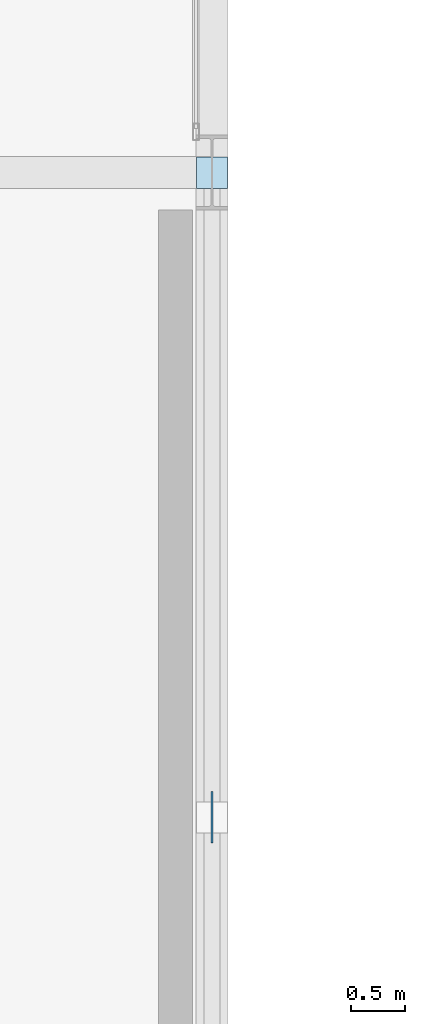
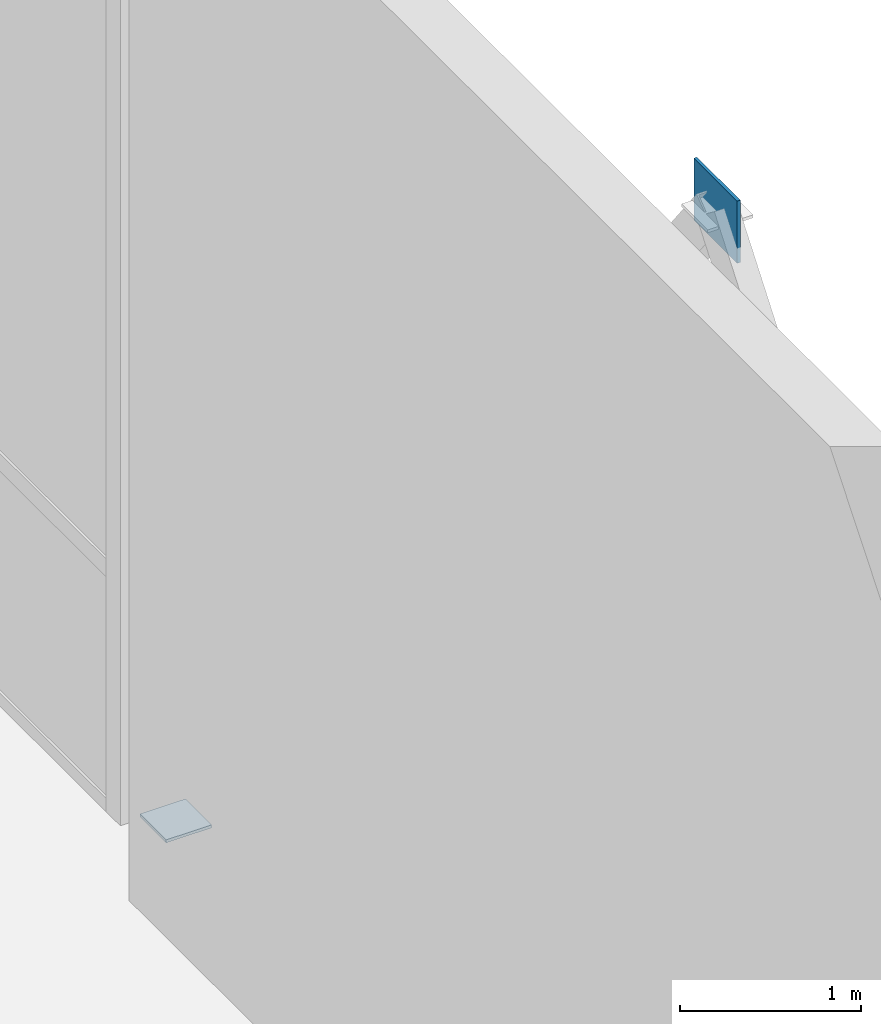
# One storey, part 112 of 131: 2 plates.
"""IFC4 building model written with IfcOpenShell, lengths in metres."""

import ifcopenshell
import ifcopenshell.guid

model = None  # the IFC model being written
_history = None  # IfcOwnerHistory: only IFC2X3 demands one
_inside = {}  # id of a spatial element -> (the spatial element, [elements in it])
_under = {}  # id of a project, library or spatial element -> (it, [spatial elements below it])
_declared = {}  # id of a project -> (the project, [libraries it declares])
_typed = {}  # id of a type object -> (the type object, [elements of that type])
_made_of = {}  # id of a material, layer set ... -> (it, [elements and type objects made of it])


def new_model(schema):
    """Start an empty IFC model of exactly this schema.

    Asked for "IFC4X3", IfcOpenShell would pick the latest addendum, in which some entities
    have other attributes; the version numbers below select the first issue.
    IFC2X3 requires an IfcOwnerHistory on every rooted entity: one is made here for all.
    """
    global model, _history
    if schema == "IFC4X3":
        model = ifcopenshell.file(schema_version=(4, 3, 0, 0))
    else:
        model = ifcopenshell.file(schema=schema)
    _inside.clear()
    _under.clear()
    _declared.clear()
    _typed.clear()
    _made_of.clear()
    _history = None
    if model.schema == "IFC2X3":
        org = make("IfcOrganization", Name="unknown")
        user = make(
            "IfcPersonAndOrganization",
            ThePerson=make("IfcPerson", FamilyName="unknown"),
            TheOrganization=org,
        )
        app = make(
            "IfcApplication",
            ApplicationDeveloper=org,
            Version="unknown",
            ApplicationFullName="unknown",
            ApplicationIdentifier="unknown",
        )
        _history = make(
            "IfcOwnerHistory",
            OwningUser=user,
            OwningApplication=app,
            ChangeAction="ADDED",
            CreationDate=0,
        )
    return model


def make(cls, **values):
    """One entity of the class cls with the attributes given. An attribute that is None is left unset."""
    return model.create_entity(
        cls, **{name: value for name, value in values.items() if value is not None}
    )


def rooted(cls, **values):
    """An entity with a GlobalId (a new one), such as an element, a storey or a relation."""
    return make(cls, GlobalId=ifcopenshell.guid.new(), OwnerHistory=_history, **values)


def si_unit(unit_type, name, prefix=None):
    """IfcSIUnit, for example si_unit("LENGTHUNIT", "METRE", prefix="MILLI")."""
    return make("IfcSIUnit", UnitType=unit_type, Prefix=prefix, Name=name)


def assignment(units):
    """IfcUnitAssignment: the units of a project."""
    return None if units is None else make("IfcUnitAssignment", Units=units)


def point(xyz):
    """IfcCartesianPoint."""
    return None if xyz is None else make("IfcCartesianPoint", Coordinates=xyz)


def direction(xyz):
    """IfcDirection."""
    return None if xyz is None else make("IfcDirection", DirectionRatios=xyz)


def frame(location, z_axis=None, x_axis=None):
    """IfcAxis2Placement3D, a coordinate frame: its origin and axes. An axis left out is left unset."""
    return make(
        "IfcAxis2Placement3D",
        Location=point(location),
        Axis=direction(z_axis),
        RefDirection=direction(x_axis),
    )


def frame_2d(location, x_axis=None):
    """IfcAxis2Placement2D, a coordinate frame in the plane: its origin and x axis."""
    return make(
        "IfcAxis2Placement2D", Location=point(location), RefDirection=direction(x_axis)
    )


def origin():
    """The frame at (0, 0, 0) with its axes left unset."""
    return frame((0.0, 0.0, 0.0))


def origin_2d():
    """The frame at (0, 0) in the plane with its x axis left unset."""
    return frame_2d((0.0, 0.0))


def place(relative_to, where):
    """IfcLocalPlacement: puts the frame where relative to a parent placement (None: the world)."""
    return make(
        "IfcLocalPlacement", PlacementRelTo=relative_to, RelativePlacement=where
    )


def context(
    kind, dimensions, precision=None, world=None, true_north=None, identifier=None
):
    """IfcGeometricRepresentationContext, for example the 3D "Model" context."""
    return make(
        "IfcGeometricRepresentationContext",
        ContextIdentifier=identifier,
        ContextType=kind,
        CoordinateSpaceDimension=dimensions,
        Precision=precision,
        WorldCoordinateSystem=world,
        TrueNorth=true_north,
    )


def subcontext(parent, identifier, kind, view, scale=None):
    """IfcGeometricRepresentationSubContext, for example "Body" below "Model"."""
    return make(
        "IfcGeometricRepresentationSubContext",
        ContextIdentifier=identifier,
        ContextType=kind,
        ParentContext=parent,
        TargetScale=scale,
        TargetView=view,
    )


def project(units=None, contexts=None):
    """IfcProject with its units and contexts."""
    return rooted(
        "IfcProject",
        Name="project",
        RepresentationContexts=contexts,
        UnitsInContext=assignment(units),
    )


def spatial(cls, under=None, at=None, **own):
    """A site, building, storey or space (cls), placed at a placement, below another one or the project."""
    s = rooted(cls, ObjectPlacement=at, **own)
    if under is not None:
        _under.setdefault(under.id(), (under, []))[1].append(s)
    return s


def profile(cls, at=None, kind="AREA", **sizes):
    """A parametric profile (cls). Its sizes go by their IFC names, for example OverallWidth=200.0."""
    return make(cls, ProfileType=kind, Position=at, **sizes)


def rectangle(**sizes):
    """IfcRectangleProfileDef."""
    return profile("IfcRectangleProfileDef", **sizes)


def extrude(swept, where, along, depth):
    """IfcExtrudedAreaSolid: the profile swept, set in the frame where, extruded along a direction by depth."""
    return make(
        "IfcExtrudedAreaSolid",
        SweptArea=swept,
        Position=where,
        ExtrudedDirection=direction(along),
        Depth=depth,
    )


def shape(context_of_items, identifier, shape_type, items):
    """IfcShapeRepresentation: the items that make up one representation, for example the "Body"."""
    return make(
        "IfcShapeRepresentation",
        ContextOfItems=context_of_items,
        RepresentationIdentifier=identifier,
        RepresentationType=shape_type,
        Items=items,
    )


def material(Name=None, Category=None):
    """IfcMaterial."""
    return make("IfcMaterial", Name=Name, Category=Category)


def layer(
    of_material, thickness, ventilated=None, Name=None, Category=None, Priority=None
):
    """IfcMaterialLayer: one layer of a wall or slab, of a material (None: an air gap)."""
    return make(
        "IfcMaterialLayer",
        Material=of_material,
        LayerThickness=thickness,
        IsVentilated=ventilated,
        Name=Name,
        Category=Category,
        Priority=Priority,
    )


def layer_set(layers, Name=None):
    """IfcMaterialLayerSet."""
    return make("IfcMaterialLayerSet", MaterialLayers=layers, LayerSetName=Name)


def made_of(thing, what):
    """Note that an element or type object is made of a material, layer set ...; save() writes the relation."""
    if what is not None:
        _made_of.setdefault(what.id(), (what, []))[1].append(thing)
    return thing


def type_object(cls, material=None, **own):
    """A type object (cls), such as IfcWallType, which elements share."""
    return made_of(rooted(cls, **own), material)


def element(
    cls,
    number,
    at=None,
    inside=None,
    cuts=None,
    type_object=None,
    material=None,
    context=None,
    identifier="Body",
    shape_type=None,
    held_by="IfcProductDefinitionShape",
    body=None,
    shapes=None,
    **own,
):
    """One element of the class cls, such as IfcWall. Its Tag is "e" and its number.

    at: its placement. inside: the storey or other place that contains it. cuts: it is an
    opening in that element (IfcRelVoidsElement). A single representation is given by context,
    identifier, shape_type and body (its items); several are given by shapes. held_by: the class
    of the entity that holds the representations. save() writes the other relations.
    """
    e = rooted(cls, Tag="e%d" % number, ObjectPlacement=at, **own)
    if body is not None:
        shapes = [shape(context, identifier, shape_type, body)]
    if shapes is not None:
        e.Representation = make(held_by, Representations=shapes)
    if inside is not None:
        _inside.setdefault(inside.id(), (inside, []))[1].append(e)
    if cuts is not None:
        rooted(
            "IfcRelVoidsElement", RelatingBuildingElement=cuts, RelatedOpeningElement=e
        )
    if type_object is not None:
        _typed.setdefault(type_object.id(), (type_object, []))[1].append(e)
    return made_of(e, material)


def aggregate(whole, parts):
    """IfcRelAggregates: a whole, such as a stair, and the parts it consists of."""
    return rooted("IfcRelAggregates", RelatingObject=whole, RelatedObjects=parts)


def save(model, path):
    """Write the relations noted so far, then the file.

    IfcRelAggregates (storeys below a building ...), IfcRelContainedInSpatialStructure (elements
    in a storey), IfcRelDefinesByType, IfcRelAssociatesMaterial and IfcRelDeclares: one each for
    every whole, place, type object, material and project.
    """
    for whole, parts in _under.values():
        aggregate(whole, parts)
    for where, things in _inside.values():
        rooted(
            "IfcRelContainedInSpatialStructure",
            RelatedElements=things,
            RelatingStructure=where,
        )
    for kind, things in _typed.values():
        rooted("IfcRelDefinesByType", RelatedObjects=things, RelatingType=kind)
    for what, things in _made_of.values():
        rooted("IfcRelAssociatesMaterial", RelatedObjects=things, RelatingMaterial=what)
    for by, libraries in _declared.values():
        rooted("IfcRelDeclares", RelatingContext=by, RelatedDefinitions=libraries)
    model.write(path)


model = new_model("IFC4")

# Units and contexts
model_context = context("Model", 3, precision=1e-05, world=origin(), true_north=direction((0.0, 1.0)))
body_context = subcontext(model_context, "Body", "Model", "MODEL_VIEW")
ifc_project = project(units=[si_unit("LENGTHUNIT", "METRE"), si_unit("AREAUNIT", "SQUARE_METRE"), si_unit("VOLUMEUNIT", "CUBIC_METRE"), si_unit("PLANEANGLEUNIT", "RADIAN"), si_unit("MASSUNIT", "GRAM", prefix="KILO")], contexts=[model_context])

# Site, building, storey
site_placement = place(None, origin())
site = spatial("IfcSite", under=ifc_project, at=site_placement, CompositionType="ELEMENT")
building_placement = place(site_placement, origin())
building = spatial("IfcBuilding", under=site, at=building_placement, Name="Veltarok Museum of Natural Sciences", CompositionType="ELEMENT")
storey_placement = place(building_placement, origin())
storey = spatial("IfcBuildingStorey", under=building, at=storey_placement, Name="L00", CompositionType="ELEMENT", Elevation=0.0)

# Plates
ifc_material = material(Name="Steel S355J2", Category="steel")
ifc_layer_1 = layer(ifc_material, 0.02001953125)
ifc_layer_set_1 = layer_set([ifc_layer_1], Name="Steel S355J2")
plate_type_1 = type_object("IfcPlateType", Name="Hollow End Closure Plate D290x20", PredefinedType="USERDEFINED", material=ifc_layer_set_1)
plate_1_placement = place(storey_placement, frame((98.800048828125, 47.99755859375, 0.14306640625), z_axis=(0.0, 0.0, 1.0), x_axis=(0.0, 1.0, 0.0)))
element("IfcPlate", 1, at=plate_1_placement, inside=storey, type_object=plate_type_1, Name="End Cap Plate CP-273 446", ObjectType="END CAP PLATE", PredefinedType="USERDEFINED", context=body_context, shape_type="SweptSolid", body=[
    extrude(rectangle(XDim=0.2900390625, YDim=0.2900390625, at=origin_2d()), origin(), (0.0, 0.0, 1.0), 0.02001953125),
])
ifc_layer_2 = layer(ifc_material, 0.02001953125)
ifc_layer_set_2 = layer_set([ifc_layer_2], Name="Steel S355J2")
plate_type_2 = type_object("IfcPlateType", Name="Lateral Brace Gusset Node Plate BN1", PredefinedType="USERDEFINED", material=ifc_layer_set_2)
plate_2_placement = place(storey_placement, frame((98.800048828125, 42.0, 7.7099609375), z_axis=(0.0, 0.0, 1.0), x_axis=(1.0, 0.0, 0.0)))
element("IfcPlate", 2, at=plate_2_placement, inside=storey, type_object=plate_type_2, Name="Lateral Brace Apex Node BN1 27", ObjectType="GUSSET PLATE", PredefinedType="USERDEFINED", context=body_context, shape_type="SweptSolid", body=[
    extrude(rectangle(XDim=0.02001953125, YDim=0.47998046875, at=origin_2d()), origin(), (0.0, 0.0, 1.0), 0.419921875),
])

save(model, "model.ifc")
